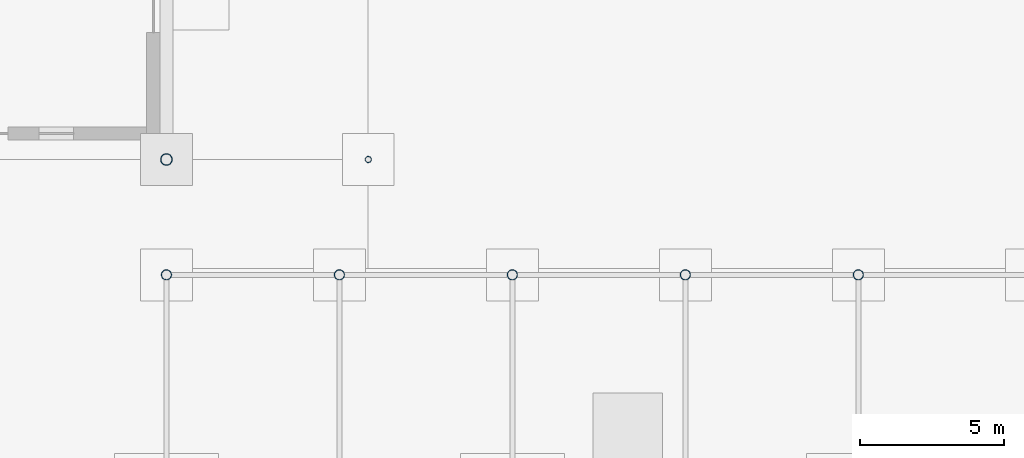
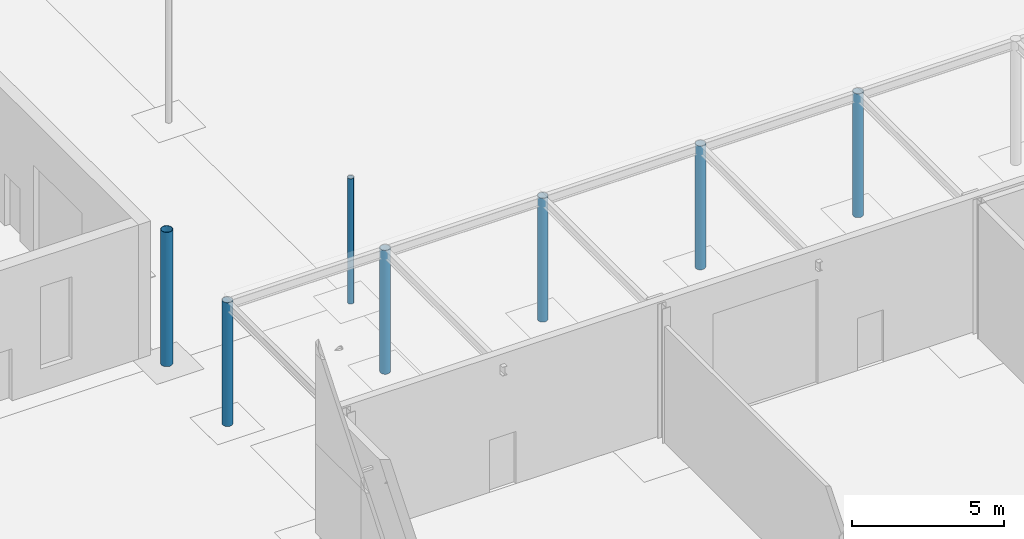
# One storey, part 20 of 132: 7 columns.
"""IFC4 building model written with IfcOpenShell, lengths in metres."""

from ifc_helpers import new_model, si_unit, direction, frame, origin, origin_2d, place, context, subcontext, project, spatial, hollow_circle, extrude, material, material_profile, profile_set, type_object, element, save


model = new_model("IFC4")

# Units and contexts
model_context = context("Model", 3, precision=1e-05, world=origin(), true_north=direction((0.0, 1.0)))
body_context = subcontext(model_context, "Body", "Model", "MODEL_VIEW")
ifc_project = project(units=[si_unit("LENGTHUNIT", "METRE"), si_unit("AREAUNIT", "SQUARE_METRE"), si_unit("VOLUMEUNIT", "CUBIC_METRE"), si_unit("PLANEANGLEUNIT", "RADIAN"), si_unit("MASSUNIT", "GRAM", prefix="KILO")], contexts=[model_context])

# Site, building, storey
site_placement = place(None, origin())
site = spatial("IfcSite", under=ifc_project, at=site_placement, CompositionType="ELEMENT")
building_placement = place(site_placement, origin())
building = spatial("IfcBuilding", under=site, at=building_placement, Name="Ravi Spectrum Wholesale Market", CompositionType="ELEMENT")
storey_placement = place(building_placement, origin())
storey = spatial("IfcBuildingStorey", under=building, at=storey_placement, Name="L00", CompositionType="ELEMENT", Elevation=0.0)

# Columns
ifc_material_1 = material(Name="Steel S355", Category="steel")
ifc_material_profile_1 = material_profile(ifc_material_1, hollow_circle(Radius=0.109619140625, WallThickness=0.008056640625, at=origin_2d()))
ifc_profile_set_1 = profile_set([ifc_material_profile_1], Name="Steel S355")
column_type_1 = type_object("IfcColumnType", Name="CHS 219.1x8 column", PredefinedType="COLUMN", material=ifc_profile_set_1)
column_1_placement = place(storey_placement, frame((205.0, 78.0, 0.0), z_axis=(0.0, 0.0, 1.0), x_axis=(1.0, 0.0, 0.0)))
element("IfcColumn", 1, at=column_1_placement, inside=storey, type_object=column_type_1, Name="H2-COL-L00-017", PredefinedType="COLUMN", context=body_context, shape_type="SweptSolid", body=[
    extrude(hollow_circle(Radius=0.109619140625, WallThickness=0.008056640625, at=origin_2d()), origin(), (0.0, 0.0, 1.0), 5.0400390625),
])
ifc_material_2 = material(Name="Steel S355", Category="steel")
ifc_material_profile_2 = material_profile(ifc_material_2, hollow_circle(Radius=0.177734375, WallThickness=0.012451171875, at=origin_2d()))
ifc_profile_set_2 = profile_set([ifc_material_profile_2], Name="Steel S355")
column_type_2 = type_object("IfcColumnType", Name="CHS 355.6x12.5 column", PredefinedType="COLUMN", material=ifc_profile_set_2)
for number, where, z_axis, x_axis, name in (
    (2, (198.0, 74.0, 0.0), (0.0, 0.0, 1.0), (1.0, 0.0, 0.0), "CS-COL-L00-041"),
    (3, (204.0, 74.0, 0.0), (0.0, 0.0, 1.0), (1.0, 0.0, 0.0), "CS-COL-L00-042"),
    (4, (210.0, 74.0, 0.0), (0.0, 0.0, 1.0), (1.0, 0.0, 0.0), "CS-COL-L00-043"),
    (5, (216.0, 74.0, 0.0), (0.0, 0.0, 1.0), (1.0, 0.0, 0.0), "CS-COL-L00-044"),
    (6, (222.0, 74.0, 0.0), (0.0, 0.0, 1.0), (1.0, 0.0, 0.0), "CS-COL-L00-045"),
):
    element("IfcColumn", number, at=place(storey_placement, frame(where, z_axis=z_axis, x_axis=x_axis)), inside=storey, type_object=column_type_2, Name=name, PredefinedType="COLUMN", context=body_context, shape_type="SweptSolid", body=[
        extrude(hollow_circle(Radius=0.177734375, WallThickness=0.012451171875, at=origin_2d()), origin(), (0.0, 0.0, 1.0), 4.97998046875),
    ])
ifc_material_3 = material(Name="Steel S355", Category="steel")
ifc_material_profile_3 = material_profile(ifc_material_3, hollow_circle(Radius=0.203125, WallThickness=0.01611328125, at=origin_2d()))
ifc_profile_set_3 = profile_set([ifc_material_profile_3], Name="Steel S355")
column_type_3 = type_object("IfcColumnType", Name="CHS 406.4x16 column", PredefinedType="COLUMN", material=ifc_profile_set_3)
column_2_placement = place(storey_placement, frame((198.0, 78.0, 0.0), z_axis=(0.0, 0.0, 1.0), x_axis=(1.0, 0.0, 0.0)))
element("IfcColumn", 7, at=column_2_placement, inside=storey, type_object=column_type_3, Name="H2-COL-L00-006", PredefinedType="COLUMN", context=body_context, shape_type="SweptSolid", body=[
    extrude(hollow_circle(Radius=0.203125, WallThickness=0.01611328125, at=origin_2d()), origin(), (0.0, 0.0, 1.0), 5.39990234375),
])

save(model, "model.ifc")
